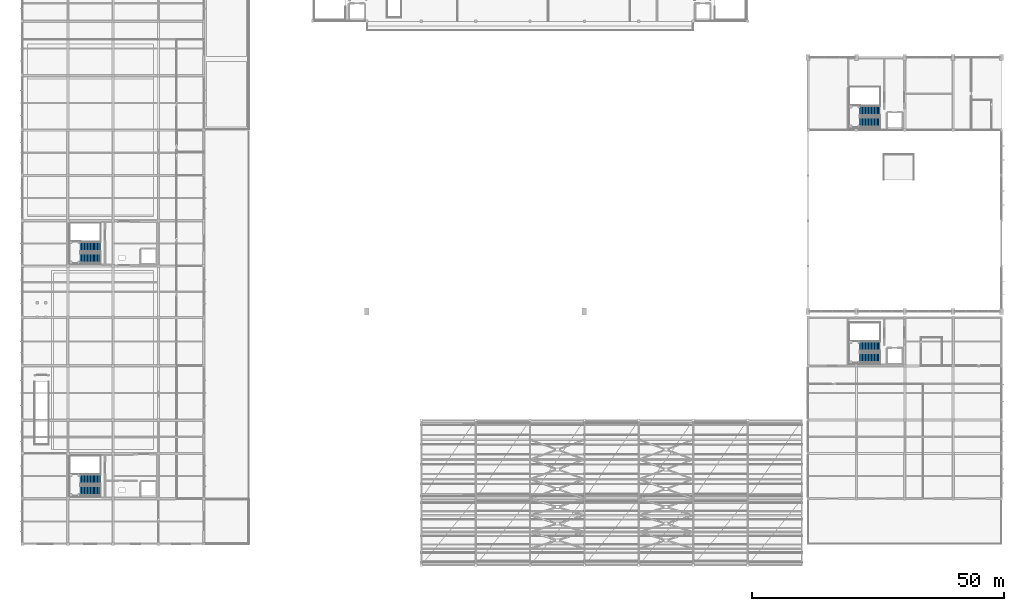
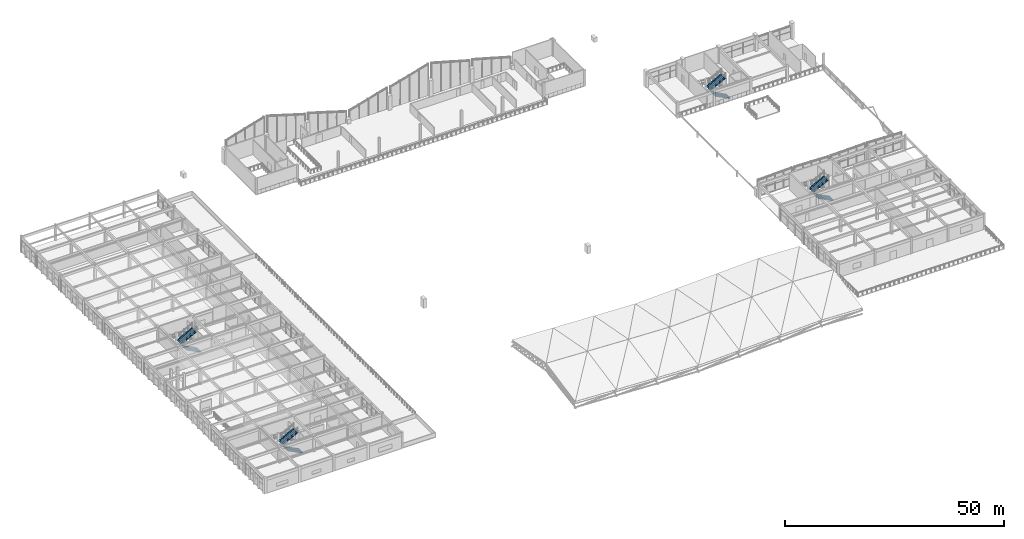
# One storey, part 72 of 89: 8 stair flights, 4 elements without a shape of their own.
"""IFC4 building model written with IfcOpenShell, lengths in metres."""

from ifc_helpers import new_model, si_unit, direction, frame, origin, place, context, subcontext, project, spatial, polyline, outline, extrude, material, type_object, element, aggregate, save


model = new_model("IFC4")

# Units and contexts
model_context = context("Model", 3, precision=1e-05, world=origin(), true_north=direction((0.0, 1.0)))
body_context = subcontext(model_context, "Body", "Model", "MODEL_VIEW")
ifc_project = project(units=[si_unit("LENGTHUNIT", "METRE"), si_unit("AREAUNIT", "SQUARE_METRE"), si_unit("VOLUMEUNIT", "CUBIC_METRE"), si_unit("PLANEANGLEUNIT", "RADIAN"), si_unit("MASSUNIT", "GRAM", prefix="KILO")], contexts=[model_context])

# Site, building, storey
site_placement = place(None, origin())
site = spatial("IfcSite", under=ifc_project, at=site_placement, CompositionType="ELEMENT")
building_placement = place(site_placement, origin())
building = spatial("IfcBuilding", under=site, at=building_placement, Name="Suirenkawa Promenade Aquatics Centre", CompositionType="ELEMENT")
storey_placement = place(building_placement, frame((0.0, 0.0, 9.60009765625)))
storey = spatial("IfcBuildingStorey", under=building, at=storey_placement, Name="L02", CompositionType="ELEMENT", Elevation=9.60009765625)

# Stair, stair flights
ifc_material = material(Name="Concrete M40", Category="concrete")
stair_type = type_object("IfcStairType", Name="STT-CORE-2100-450", PredefinedType="TWO_STRAIGHT_RUN_STAIR", material=ifc_material)
stair_1_placement = place(storey_placement, origin())
stair_1 = element("IfcStair", 1, at=stair_1_placement, inside=storey, type_object=stair_type, Name="Protected exit stair STR-02 ST-04", PredefinedType="TWO_STRAIGHT_RUN_STAIR")
stair_flight_type = type_object("IfcStairFlightType", Name="SFT-FLIGHT-2100", PredefinedType="STRAIGHT", material=ifc_material)
stair_flight_1_placement = place(storey_placement, frame((15.514892578125, 14.780029296875, 0.0), z_axis=(0.0, 0.0, 1.0), x_axis=(-1.0, 0.0, 0.0)))
stair_flight_1 = element("IfcStairFlight", 2, at=stair_flight_1_placement, type_object=stair_flight_type, Name="Stair flight SFL-01 FL-007", NumberOfRisers=15, NumberOfTreads=14, PredefinedType="STRAIGHT", RiserHeight=0.15, TreadLength=0.29, context=body_context, shape_type="SweptSolid", body=[
    extrude(outline(polyline([(0.0, 0.0), (0.0, 0.14990234375), (0.2900390625, 0.14990234375), (0.2900390625, 0.300048828125), (0.580078125, 0.300048828125), (0.580078125, 0.449951171875), (0.8701171875, 0.449951171875), (0.8701171875, 0.60009765625), (1.159912109375, 0.60009765625), (1.159912109375, 0.75), (1.449951171875, 0.75), (1.449951171875, 0.89990234375), (1.739990234375, 0.89990234375), (1.739990234375, 1.050048828125), (2.030029296875, 1.050048828125), (2.030029296875, 1.199951171875), (2.320068359375, 1.199951171875), (2.320068359375, 1.35009765625), (2.610107421875, 1.35009765625), (2.610107421875, 1.5), (2.89990234375, 1.5), (2.89990234375, 1.64990234375), (3.18994140625, 1.64990234375), (3.18994140625, 1.800048828125), (3.47998046875, 1.800048828125), (3.47998046875, 1.949951171875), (3.77001953125, 1.949951171875), (3.77001953125, 2.10009765625), (4.06005859375, 2.10009765625), (4.06005859375, 2.25), (4.06005859375, 1.90869140625), (0.369873046875, 0.0), (0.0, 0.0)])), frame((0.0, 1.010009765625, 0.0), z_axis=(0.0, -1.0, 0.0), x_axis=(1.0, 0.0, 0.0)), (0.0, 0.0, 1.0), 2.02001953125),
])
stair_flight_2_placement = place(storey_placement, frame((11.455078125, 17.050048828125, 2.25), z_axis=(0.0, 0.0, 1.0), x_axis=(1.0, 0.0, 0.0)))
stair_flight_2 = element("IfcStairFlight", 3, at=stair_flight_2_placement, type_object=stair_flight_type, Name="Stair flight SFL-01 FL-008", NumberOfRisers=15, NumberOfTreads=14, PredefinedType="STRAIGHT", RiserHeight=0.15, TreadLength=0.29, context=body_context, shape_type="SweptSolid", body=[
    extrude(outline(polyline([(0.0, 0.0), (0.0, 0.14990234375), (0.2900390625, 0.14990234375), (0.2900390625, 0.300048828125), (0.580078125, 0.300048828125), (0.580078125, 0.449951171875), (0.8701171875, 0.449951171875), (0.8701171875, 0.60009765625), (1.159912109375, 0.60009765625), (1.159912109375, 0.75), (1.449951171875, 0.75), (1.449951171875, 0.89990234375), (1.739990234375, 0.89990234375), (1.739990234375, 1.050048828125), (2.030029296875, 1.050048828125), (2.030029296875, 1.199951171875), (2.320068359375, 1.199951171875), (2.320068359375, 1.35009765625), (2.610107421875, 1.35009765625), (2.610107421875, 1.5), (2.89990234375, 1.5), (2.89990234375, 1.64990234375), (3.18994140625, 1.64990234375), (3.18994140625, 1.800048828125), (3.47998046875, 1.800048828125), (3.47998046875, 1.949951171875), (3.77001953125, 1.949951171875), (3.77001953125, 2.10009765625), (4.06005859375, 2.10009765625), (4.06005859375, 2.25), (4.06005859375, 1.90869140625), (0.369873046875, 0.0), (0.0, 0.0)])), frame((0.0, 1.010009765625, 0.0), z_axis=(0.0, -1.0, 0.0), x_axis=(1.0, 0.0, 0.0)), (0.0, 0.0, 1.0), 2.02001953125),
])
aggregate(stair_1, [stair_flight_1, stair_flight_2])

stair_2_placement = place(storey_placement, origin())
stair_2 = element("IfcStair", 4, at=stair_2_placement, inside=storey, type_object=stair_type, Name="Protected exit stair STR-02 ST-09", PredefinedType="TWO_STRAIGHT_RUN_STAIR")
stair_flight_3_placement = place(storey_placement, frame((15.514892578125, 60.97998046875, 0.0), z_axis=(0.0, 0.0, 1.0), x_axis=(-1.0, 0.0, 0.0)))
stair_flight_3 = element("IfcStairFlight", 5, at=stair_flight_3_placement, type_object=stair_flight_type, Name="Stair flight SFL-01 FL-017", NumberOfRisers=15, NumberOfTreads=14, PredefinedType="STRAIGHT", RiserHeight=0.15, TreadLength=0.29, context=body_context, shape_type="SweptSolid", body=[
    extrude(outline(polyline([(0.0, 0.0), (0.0, 0.14990234375), (0.2900390625, 0.14990234375), (0.2900390625, 0.300048828125), (0.580078125, 0.300048828125), (0.580078125, 0.449951171875), (0.8701171875, 0.449951171875), (0.8701171875, 0.60009765625), (1.159912109375, 0.60009765625), (1.159912109375, 0.75), (1.449951171875, 0.75), (1.449951171875, 0.89990234375), (1.739990234375, 0.89990234375), (1.739990234375, 1.050048828125), (2.030029296875, 1.050048828125), (2.030029296875, 1.199951171875), (2.320068359375, 1.199951171875), (2.320068359375, 1.35009765625), (2.610107421875, 1.35009765625), (2.610107421875, 1.5), (2.89990234375, 1.5), (2.89990234375, 1.64990234375), (3.18994140625, 1.64990234375), (3.18994140625, 1.800048828125), (3.47998046875, 1.800048828125), (3.47998046875, 1.949951171875), (3.77001953125, 1.949951171875), (3.77001953125, 2.10009765625), (4.06005859375, 2.10009765625), (4.06005859375, 2.25), (4.06005859375, 1.90869140625), (0.369873046875, 0.0), (0.0, 0.0)])), frame((0.0, 1.010009765625, 0.0), z_axis=(0.0, -1.0, 0.0), x_axis=(1.0, 0.0, 0.0)), (0.0, 0.0, 1.0), 2.02001953125),
])
stair_flight_4_placement = place(storey_placement, frame((11.455078125, 63.25, 2.25), z_axis=(0.0, 0.0, 1.0), x_axis=(1.0, 0.0, 0.0)))
stair_flight_4 = element("IfcStairFlight", 6, at=stair_flight_4_placement, type_object=stair_flight_type, Name="Stair flight SFL-01 FL-018", NumberOfRisers=15, NumberOfTreads=14, PredefinedType="STRAIGHT", RiserHeight=0.15, TreadLength=0.29, context=body_context, shape_type="SweptSolid", body=[
    extrude(outline(polyline([(0.0, 0.0), (0.0, 0.14990234375), (0.2900390625, 0.14990234375), (0.2900390625, 0.300048828125), (0.580078125, 0.300048828125), (0.580078125, 0.449951171875), (0.8701171875, 0.449951171875), (0.8701171875, 0.60009765625), (1.159912109375, 0.60009765625), (1.159912109375, 0.75), (1.449951171875, 0.75), (1.449951171875, 0.89990234375), (1.739990234375, 0.89990234375), (1.739990234375, 1.050048828125), (2.030029296875, 1.050048828125), (2.030029296875, 1.199951171875), (2.320068359375, 1.199951171875), (2.320068359375, 1.35009765625), (2.610107421875, 1.35009765625), (2.610107421875, 1.5), (2.89990234375, 1.5), (2.89990234375, 1.64990234375), (3.18994140625, 1.64990234375), (3.18994140625, 1.800048828125), (3.47998046875, 1.800048828125), (3.47998046875, 1.949951171875), (3.77001953125, 1.949951171875), (3.77001953125, 2.10009765625), (4.06005859375, 2.10009765625), (4.06005859375, 2.25), (4.06005859375, 1.90869140625), (0.369873046875, 0.0), (0.0, 0.0)])), frame((0.0, 1.010009765625, 0.0), z_axis=(0.0, -1.0, 0.0), x_axis=(1.0, 0.0, 0.0)), (0.0, 0.0, 1.0), 2.02001953125),
])
aggregate(stair_2, [stair_flight_3, stair_flight_4])

stair_3_placement = place(storey_placement, origin())
stair_3 = element("IfcStair", 7, at=stair_3_placement, inside=storey, type_object=stair_type, Name="Protected exit stair STR-02 ST-18", PredefinedType="TWO_STRAIGHT_RUN_STAIR")
stair_flight_5_placement = place(storey_placement, frame((170.31494140625, 87.97998046875, 0.0), z_axis=(0.0, 0.0, 1.0), x_axis=(-1.0, 0.0, 0.0)))
stair_flight_5 = element("IfcStairFlight", 8, at=stair_flight_5_placement, type_object=stair_flight_type, Name="Stair flight SFL-01 FL-035", NumberOfRisers=15, NumberOfTreads=14, PredefinedType="STRAIGHT", RiserHeight=0.15, TreadLength=0.29, context=body_context, shape_type="SweptSolid", body=[
    extrude(outline(polyline([(0.0, 0.0), (0.0, 0.14990234375), (0.2900390625, 0.14990234375), (0.2900390625, 0.300048828125), (0.580078125, 0.300048828125), (0.580078125, 0.449951171875), (0.8701171875, 0.449951171875), (0.8701171875, 0.60009765625), (1.159912109375, 0.60009765625), (1.159912109375, 0.75), (1.449951171875, 0.75), (1.449951171875, 0.89990234375), (1.739990234375, 0.89990234375), (1.739990234375, 1.050048828125), (2.030029296875, 1.050048828125), (2.030029296875, 1.199951171875), (2.320068359375, 1.199951171875), (2.320068359375, 1.35009765625), (2.610107421875, 1.35009765625), (2.610107421875, 1.5), (2.89990234375, 1.5), (2.89990234375, 1.64990234375), (3.18994140625, 1.64990234375), (3.18994140625, 1.800048828125), (3.47998046875, 1.800048828125), (3.47998046875, 1.949951171875), (3.77001953125, 1.949951171875), (3.77001953125, 2.10009765625), (4.06005859375, 2.10009765625), (4.06005859375, 2.25), (4.06005859375, 1.90869140625), (0.369873046875, 0.0), (0.0, 0.0)])), frame((0.0, 1.010009765625, 0.0), z_axis=(0.0, -1.0, 0.0), x_axis=(1.0, 0.0, 0.0)), (0.0, 0.0, 1.0), 2.02001953125),
])
stair_flight_6_placement = place(storey_placement, frame((166.2548828125, 90.25, 2.25), z_axis=(0.0, 0.0, 1.0), x_axis=(1.0, 0.0, 0.0)))
stair_flight_6 = element("IfcStairFlight", 9, at=stair_flight_6_placement, type_object=stair_flight_type, Name="Stair flight SFL-01 FL-036", NumberOfRisers=15, NumberOfTreads=14, PredefinedType="STRAIGHT", RiserHeight=0.15, TreadLength=0.29, context=body_context, shape_type="SweptSolid", body=[
    extrude(outline(polyline([(0.0, 0.0), (0.0, 0.14990234375), (0.2900390625, 0.14990234375), (0.2900390625, 0.300048828125), (0.580078125, 0.300048828125), (0.580078125, 0.449951171875), (0.8701171875, 0.449951171875), (0.8701171875, 0.60009765625), (1.159912109375, 0.60009765625), (1.159912109375, 0.75), (1.449951171875, 0.75), (1.449951171875, 0.89990234375), (1.739990234375, 0.89990234375), (1.739990234375, 1.050048828125), (2.030029296875, 1.050048828125), (2.030029296875, 1.199951171875), (2.320068359375, 1.199951171875), (2.320068359375, 1.35009765625), (2.610107421875, 1.35009765625), (2.610107421875, 1.5), (2.89990234375, 1.5), (2.89990234375, 1.64990234375), (3.18994140625, 1.64990234375), (3.18994140625, 1.800048828125), (3.47998046875, 1.800048828125), (3.47998046875, 1.949951171875), (3.77001953125, 1.949951171875), (3.77001953125, 2.10009765625), (4.06005859375, 2.10009765625), (4.06005859375, 2.25), (4.06005859375, 1.90869140625), (0.369873046875, 0.0), (0.0, 0.0)])), frame((0.0, 1.010009765625, 0.0), z_axis=(0.0, -1.0, 0.0), x_axis=(1.0, 0.0, 0.0)), (0.0, 0.0, 1.0), 2.02001953125),
])
aggregate(stair_3, [stair_flight_5, stair_flight_6])

stair_4_placement = place(storey_placement, origin())
stair_4 = element("IfcStair", 10, at=stair_4_placement, inside=storey, type_object=stair_type, Name="Protected exit stair STR-02 ST-21", PredefinedType="TWO_STRAIGHT_RUN_STAIR")
stair_flight_7_placement = place(storey_placement, frame((170.31494140625, 41.179931640625, 0.0), z_axis=(0.0, 0.0, 1.0), x_axis=(-1.0, 0.0, 0.0)))
stair_flight_7 = element("IfcStairFlight", 11, at=stair_flight_7_placement, type_object=stair_flight_type, Name="Stair flight SFL-01 FL-041", NumberOfRisers=15, NumberOfTreads=14, PredefinedType="STRAIGHT", RiserHeight=0.15, TreadLength=0.29, context=body_context, shape_type="SweptSolid", body=[
    extrude(outline(polyline([(0.0, 0.0), (0.0, 0.14990234375), (0.2900390625, 0.14990234375), (0.2900390625, 0.300048828125), (0.580078125, 0.300048828125), (0.580078125, 0.449951171875), (0.8701171875, 0.449951171875), (0.8701171875, 0.60009765625), (1.159912109375, 0.60009765625), (1.159912109375, 0.75), (1.449951171875, 0.75), (1.449951171875, 0.89990234375), (1.739990234375, 0.89990234375), (1.739990234375, 1.050048828125), (2.030029296875, 1.050048828125), (2.030029296875, 1.199951171875), (2.320068359375, 1.199951171875), (2.320068359375, 1.35009765625), (2.610107421875, 1.35009765625), (2.610107421875, 1.5), (2.89990234375, 1.5), (2.89990234375, 1.64990234375), (3.18994140625, 1.64990234375), (3.18994140625, 1.800048828125), (3.47998046875, 1.800048828125), (3.47998046875, 1.949951171875), (3.77001953125, 1.949951171875), (3.77001953125, 2.10009765625), (4.06005859375, 2.10009765625), (4.06005859375, 2.25), (4.06005859375, 1.90869140625), (0.369873046875, 0.0), (0.0, 0.0)])), frame((0.0, 1.010009765625, 0.0), z_axis=(0.0, -1.0, 0.0), x_axis=(1.0, 0.0, 0.0)), (0.0, 0.0, 1.0), 2.02001953125),
])
stair_flight_8_placement = place(storey_placement, frame((166.2548828125, 43.449951171875, 2.25), z_axis=(0.0, 0.0, 1.0), x_axis=(1.0, 0.0, 0.0)))
stair_flight_8 = element("IfcStairFlight", 12, at=stair_flight_8_placement, type_object=stair_flight_type, Name="Stair flight SFL-01 FL-042", NumberOfRisers=15, NumberOfTreads=14, PredefinedType="STRAIGHT", RiserHeight=0.15, TreadLength=0.29, context=body_context, shape_type="SweptSolid", body=[
    extrude(outline(polyline([(0.0, 0.0), (0.0, 0.14990234375), (0.2900390625, 0.14990234375), (0.2900390625, 0.300048828125), (0.580078125, 0.300048828125), (0.580078125, 0.449951171875), (0.8701171875, 0.449951171875), (0.8701171875, 0.60009765625), (1.159912109375, 0.60009765625), (1.159912109375, 0.75), (1.449951171875, 0.75), (1.449951171875, 0.89990234375), (1.739990234375, 0.89990234375), (1.739990234375, 1.050048828125), (2.030029296875, 1.050048828125), (2.030029296875, 1.199951171875), (2.320068359375, 1.199951171875), (2.320068359375, 1.35009765625), (2.610107421875, 1.35009765625), (2.610107421875, 1.5), (2.89990234375, 1.5), (2.89990234375, 1.64990234375), (3.18994140625, 1.64990234375), (3.18994140625, 1.800048828125), (3.47998046875, 1.800048828125), (3.47998046875, 1.949951171875), (3.77001953125, 1.949951171875), (3.77001953125, 2.10009765625), (4.06005859375, 2.10009765625), (4.06005859375, 2.25), (4.06005859375, 1.90869140625), (0.369873046875, 0.0), (0.0, 0.0)])), frame((0.0, 1.010009765625, 0.0), z_axis=(0.0, -1.0, 0.0), x_axis=(1.0, 0.0, 0.0)), (0.0, 0.0, 1.0), 2.02001953125),
])
aggregate(stair_4, [stair_flight_7, stair_flight_8])

save(model, "model.ifc")
